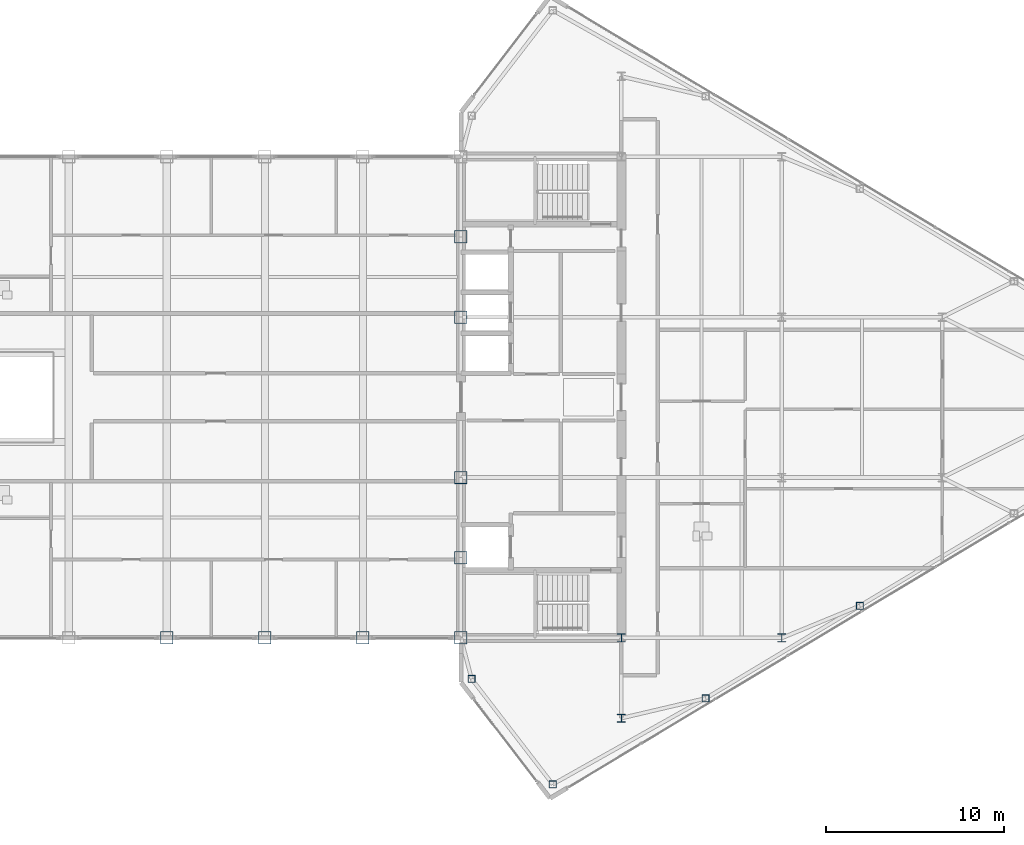
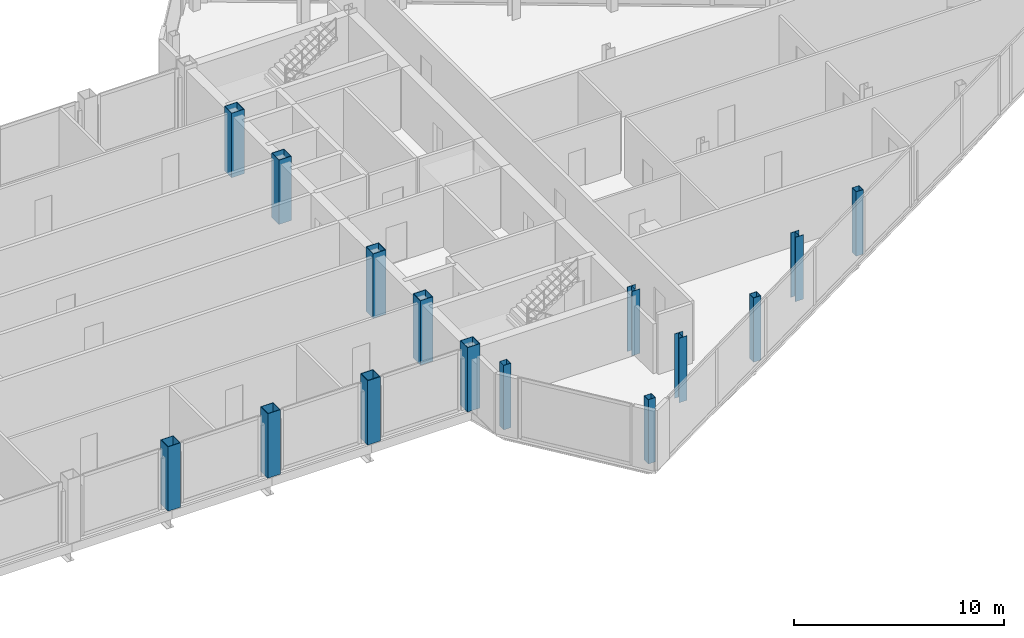
# One storey, part 4 of 28: 15 columns.
"""IFC4 building model written with IfcOpenShell, lengths in metres."""

from ifc_helpers import new_model, si_unit, direction, frame, origin, origin_2d, place, context, subcontext, project, spatial, hollow_rectangle, i_section, extrude, source, transform, mapped, material, material_profile, profile_set, type_object, type_shapes, element, save


model = new_model("IFC4")

# Units and contexts
model_context = context("Model", 3, precision=1e-05, world=origin(), true_north=direction((0.0, 1.0)))
body_context = subcontext(model_context, "Body", "Model", "MODEL_VIEW")
ifc_project = project(units=[si_unit("LENGTHUNIT", "METRE"), si_unit("AREAUNIT", "SQUARE_METRE"), si_unit("VOLUMEUNIT", "CUBIC_METRE"), si_unit("PLANEANGLEUNIT", "RADIAN"), si_unit("MASSUNIT", "GRAM", prefix="KILO")], contexts=[model_context])

# Site, building, storey
site_placement = place(None, origin())
site = spatial("IfcSite", under=ifc_project, at=site_placement, CompositionType="ELEMENT")
building_placement = place(site_placement, origin())
building = spatial("IfcBuilding", under=site, at=building_placement, Name="Seokmaru Belvedere", CompositionType="ELEMENT")
storey_placement = place(building_placement, frame((0.0, 0.0, 265.64990234375)))
storey = spatial("IfcBuildingStorey", under=building, at=storey_placement, Name="L70", CompositionType="ELEMENT", Elevation=265.64990234375)

# Columns
ifc_material = material(Name="Steel SM355 (355 MPa)", Category="steel")
ifc_material_profile_1 = material_profile(ifc_material, hollow_rectangle(XDim=0.699951171875, YDim=0.699951171875, WallThickness=0.030029296875, at=origin_2d()), Name="BOX-700x700x30")
ifc_profile_set_1 = profile_set([ifc_material_profile_1], Name="Steel SM355 (355 MPa)")
column_type_1 = type_object("IfcColumnType", Name="Upper Spine Column BOX-700", PredefinedType="COLUMN", material=ifc_profile_set_1)
shared_shape_1 = source(origin(), body_context, "Body", "SweptSolid", [
    extrude(hollow_rectangle(XDim=0.699951171875, YDim=0.699951171875, WallThickness=0.030029296875, at=origin_2d()), origin(), (0.0, 0.0, 1.0), 3.75),
])
type_shapes(column_type_1, [shared_shape_1])
for number, where, z_axis, x_axis, name in (
    (1, (27.5, -13.5, 0.0), (0.0, 0.0, 1.0), (1.0, 0.0, 0.0), "L70 Column ES1"),
    (2, (27.5, -9.0, 0.0), (0.0, 0.0, 1.0), (1.0, 0.0, 0.0), "L70 Column ES2"),
    (3, (27.5, -4.5, 0.0), (0.0, 0.0, 1.0), (1.0, 0.0, 0.0), "L70 Column ES3"),
    (4, (27.5, 4.5, 0.0), (0.0, 0.0, 1.0), (1.0, 0.0, 0.0), "L70 Column ES4"),
    (5, (27.5, 9.0, 0.0), (0.0, 0.0, 1.0), (1.0, 0.0, 0.0), "L70 Column ES5"),
    (6, (11.0, -13.5, 0.0), (0.0, 0.0, 1.0), (1.0, 0.0, 0.0), "L70 Column BRS_7"),
    (7, (16.5, -13.5, 0.0), (0.0, 0.0, 1.0), (1.0, 0.0, 0.0), "L70 Column BRS_8"),
    (8, (22.0, -13.5, 0.0), (0.0, 0.0, 1.0), (1.0, 0.0, 0.0), "L70 Column BRS_9"),
):
    element("IfcColumn", number, at=place(storey_placement, frame(where, z_axis=z_axis, x_axis=x_axis)), inside=storey, type_object=column_type_1, Name=name, PredefinedType="COLUMN", context=body_context, shape_type="MappedRepresentation", body=[
        mapped(shared_shape_1, transform((0.0, 0.0, 0.0), scale=1.0)),
    ])
ifc_material_profile_2 = material_profile(ifc_material, i_section(OverallWidth=0.449951171875, OverallDepth=0.449951171875, WebThickness=0.01611328125, FlangeThickness=0.02490234375, at=origin_2d()), Name="H-450x450x16x25")
ifc_profile_set_2 = profile_set([ifc_material_profile_2], Name="Steel SM355 (355 MPa)")
column_type_2 = type_object("IfcColumnType", Name="Sky-Gate Column H-450", PredefinedType="COLUMN", material=ifc_profile_set_2)
shared_shape_2 = source(origin(), body_context, "Body", "SweptSolid", [
    extrude(i_section(OverallWidth=0.449951171875, OverallDepth=0.449951171875, WebThickness=0.01611328125, FlangeThickness=0.02490234375, at=origin_2d()), origin(), (0.0, 0.0, 1.0), 3.75),
])
type_shapes(column_type_2, [shared_shape_2])
for number, where, z_axis, x_axis, name in (
    (9, (36.5, -18.0, 0.0), (0.0, 0.0, 1.0), (1.0, 0.0, 0.0), "L70 Column EC1"),
    (10, (36.5, -13.5, 0.0), (0.0, 0.0, 1.0), (1.0, 0.0, 0.0), "L70 Column EC2"),
    (11, (45.5, -13.5, 0.0), (0.0, 0.0, 1.0), (1.0, 0.0, 0.0), "L70 Column EG5_1"),
):
    element("IfcColumn", number, at=place(storey_placement, frame(where, z_axis=z_axis, x_axis=x_axis)), inside=storey, type_object=column_type_2, Name=name, PredefinedType="COLUMN", context=body_context, shape_type="MappedRepresentation", body=[
        mapped(shared_shape_2, transform((0.0, 0.0, 0.0), scale=1.0)),
    ])
ifc_material_profile_3 = material_profile(ifc_material, hollow_rectangle(XDim=0.39990234375, YDim=0.39990234375, WallThickness=0.01611328125, at=origin_2d()), Name="HSS-400x400x16")
ifc_profile_set_3 = profile_set([ifc_material_profile_3], Name="Steel SM355 (355 MPa)")
column_type_3 = type_object("IfcColumnType", Name="Perimeter Facet Column HSS-400", PredefinedType="COLUMN", material=ifc_profile_set_3)
shared_shape_3 = source(origin(), body_context, "Body", "SweptSolid", [
    extrude(hollow_rectangle(XDim=0.39990234375, YDim=0.39990234375, WallThickness=0.01611328125, at=origin_2d()), origin(), (0.0, 0.0, 1.0), 3.75),
])
type_shapes(column_type_3, [shared_shape_3])
for number, where, z_axis, x_axis, name in (
    (12, (32.649658203125, -21.71044921875, 0.0), (0.0, 0.0, 1.0), (1.0, 0.0, 0.0), "L70 Column EF1"),
    (13, (28.10009765625, -15.7958984375, 0.0), (0.0, 0.0, 1.0), (1.0, 0.0, 0.0), "L70 Column EF6"),
    (14, (41.229736328125, -16.888916015625, 0.0), (0.0, 0.0, 1.0), (1.0, 0.0, 0.0), "L70 Column EFLK_S1"),
    (15, (49.8798828125, -11.698974609375, 0.0), (0.0, 0.0, 1.0), (1.0, 0.0, 0.0), "L70 Column EFLK_S2"),
):
    element("IfcColumn", number, at=place(storey_placement, frame(where, z_axis=z_axis, x_axis=x_axis)), inside=storey, type_object=column_type_3, Name=name, PredefinedType="COLUMN", context=body_context, shape_type="MappedRepresentation", body=[
        mapped(shared_shape_3, transform((0.0, 0.0, 0.0), scale=1.0)),
    ])

save(model, "model.ifc")
